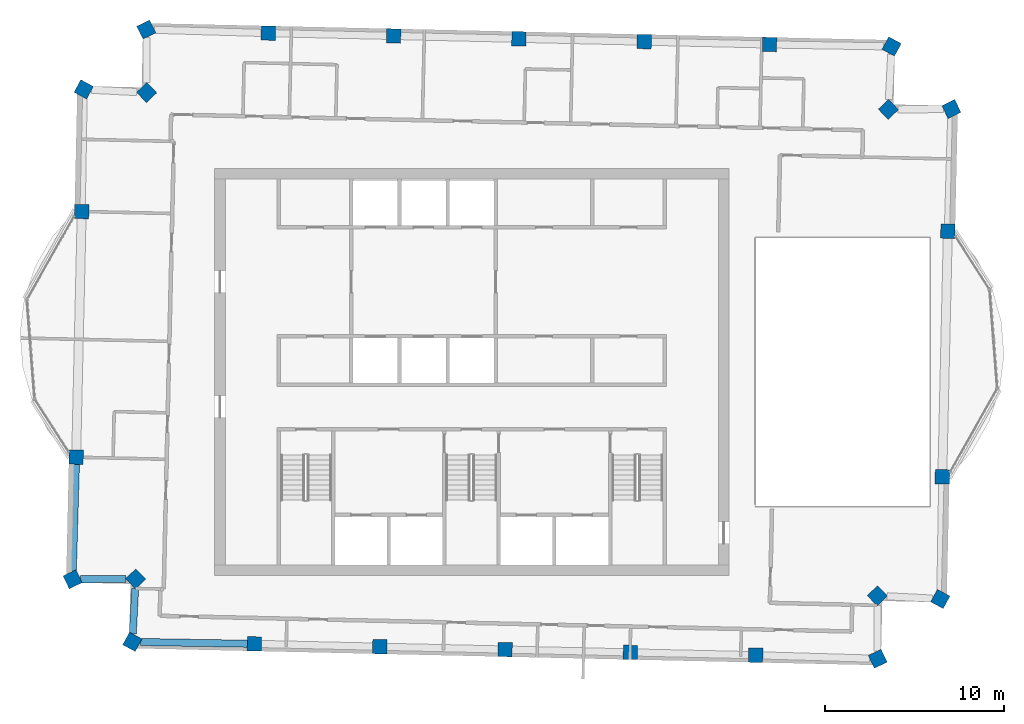
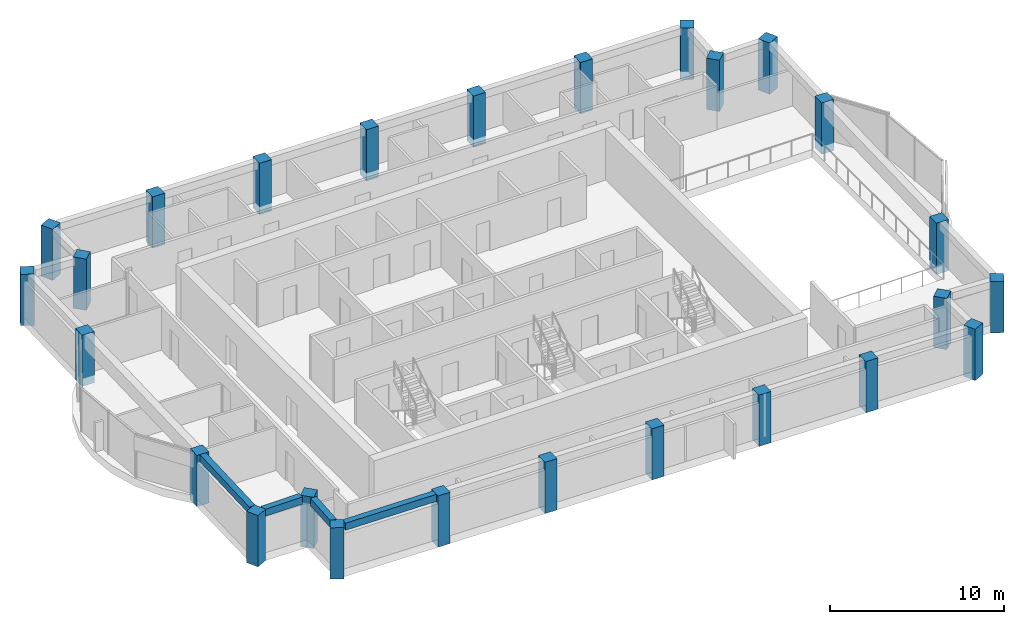
# One storey, part 1 of 12: 26 columns, 4 beams.
"""IFC4 building model written with IfcOpenShell, lengths in metres."""

from ifc_helpers import new_model, si_unit, direction, frame, origin, origin_2d, place, context, subcontext, project, spatial, rectangle, extrude, material, material_profile, profile_set, type_object, element, save


model = new_model("IFC4")

# Units and contexts
model_context = context("Model", 3, precision=1e-05, world=origin(), true_north=direction((0.0, 1.0)))
body_context = subcontext(model_context, "Body", "Model", "MODEL_VIEW")
ifc_project = project(units=[si_unit("LENGTHUNIT", "METRE"), si_unit("AREAUNIT", "SQUARE_METRE"), si_unit("VOLUMEUNIT", "CUBIC_METRE"), si_unit("PLANEANGLEUNIT", "RADIAN"), si_unit("MASSUNIT", "GRAM", prefix="KILO")], contexts=[model_context])

# Site, building, storey
site_placement = place(None, origin())
site = spatial("IfcSite", under=ifc_project, at=site_placement, CompositionType="ELEMENT")
building_placement = place(site_placement, origin())
building = spatial("IfcBuilding", under=site, at=building_placement, Name="Mangrove Gate Tower", CompositionType="ELEMENT")
storey_placement = place(building_placement, frame((0.0, 0.0, 350.699951171875)))
storey = spatial("IfcBuildingStorey", under=building, at=storey_placement, Name="L89", CompositionType="ELEMENT", Elevation=350.699951171875)

# Columns
ifc_material_1 = material(Name="Concrete C50/60", Category="concrete")
ifc_material_profile_1 = material_profile(ifc_material_1, rectangle(XDim=0.800048828125, YDim=0.800048828125, at=origin_2d()))
ifc_profile_set_1 = profile_set([ifc_material_profile_1], Name="Concrete C50/60")
column_type = type_object("IfcColumnType", Name="Column RC 800x800 C50/60", PredefinedType="COLUMN", material=ifc_profile_set_1)
for number, where, z_axis, x_axis, name in (
    (1, (-22.151123046875, -4.760986328125, -0.550048828125), (0.0, 0.0, 1.0), (-0.022671106186, -0.999742977442, 0.0), "Column L89 W04"),
    (2, (-22.35009765625, -11.6005859375, -0.550048828125), (0.0, 0.0, 1.0), (0.435825839896, -0.900031020176, 0.0), "Column L89 W05"),
    (3, (-18.82177734375, -11.57958984375, -0.550048828125), (0.0, 0.0, 1.0), (0.69091481381, -0.722936179796, 0.0), "Column L89 W06"),
    (4, (-19.00244140625, -15.103271484375, -0.550048828125), (0.0, 0.0, 1.0), (0.879152529936, -0.47654048003, 0.0), "Column L89 S01"),
    (5, (-12.1689453125, -15.214111328125, -0.550048828125), (0.0, 0.0, 1.0), (0.999741614879, -0.022731112591, 0.0), "Column L89 S02"),
    (6, (-5.15380859375, -15.3740234375, -0.550048828125), (0.0, 0.0, 1.0), (0.999741614879, -0.022731112591, 0.0), "Column L89 S03"),
    (7, (1.861083984375, -15.533203125, -0.550048828125), (0.0, 0.0, 1.0), (0.999743231409, -0.02265990405, 0.0), "Column L89 S04"),
    (8, (8.8759765625, -15.692138671875, -0.550048828125), (0.0, 0.0, 1.0), (0.999743231409, -0.02265990405, 0.0), "Column L89 S05"),
    (9, (15.89111328125, -15.85107421875, -0.550048828125), (0.0, 0.0, 1.0), (0.999743231409, -0.02265990405, 0.0), "Column L89 E01"),
    (10, (22.722412109375, -16.050048828125, -0.550048828125), (0.0, 0.0, 1.0), (0.899838241928, 0.436223725127, 0.0), "Column L89 E02"),
    (11, (22.70166015625, -12.521728515625, -0.550048828125), (0.0, 0.0, 1.0), (0.722936179796, 0.69091481381, 0.0), "Column L89 E03"),
    (12, (26.225341796875, -12.702392578125, -0.550048828125), (0.0, 0.0, 1.0), (0.476213771116, 0.879329542435, 0.0), "Column L89 E04"),
    (13, (26.337158203125, -5.86083984375, -0.550048828125), (0.0, 0.0, 1.0), (0.022719212519, 0.99974188538, 0.0), "Column L89 E05"),
    (14, (26.649169921875, 7.885986328125, -0.550048828125), (0.0, 0.0, 1.0), (0.022671106186, 0.999742977442, 0.0), "Column L89 E06"),
    (15, (26.847900390625, 14.7255859375, -0.550048828125), (0.0, 0.0, 1.0), (-0.435776137523, 0.900055086073, 0.0), "Column L89 E07"),
    (16, (23.31982421875, 14.70556640625, -0.550048828125), (0.0, 0.0, 1.0), (-0.69081670548, 0.72302992983, 0.0), "Column L89 E08"),
    (17, (23.50048828125, 18.229248046875, -0.550048828125), (0.0, 0.0, 1.0), (-0.879152529936, 0.47654048003, 0.0), "Column L89 E09"),
    (18, (16.6669921875, 18.340087890625, -0.550048828125), (0.0, 0.0, 1.0), (-0.999743231409, 0.02265990405, 0.0), "Column L89 E10"),
    (19, (9.65185546875, 18.4990234375, -0.550048828125), (0.0, 0.0, 1.0), (-0.999743231409, 0.02265990405, 0.0), "Column L89 N01"),
    (20, (2.636962890625, 18.658203125, -0.550048828125), (0.0, 0.0, 1.0), (-0.999743231409, 0.02265990405, 0.0), "Column L89 N02"),
    (21, (-4.378173828125, 18.817138671875, -0.550048828125), (0.0, 0.0, 1.0), (-0.999741614879, 0.022731112591, 0.0), "Column L89 N03"),
    (22, (-11.39306640625, 18.97705078125, -0.550048828125), (0.0, 0.0, 1.0), (-0.999741614879, 0.022731112591, 0.0), "Column L89 N04"),
    (23, (-18.224609375, 19.176025390625, -0.550048828125), (0.0, 0.0, 1.0), (-0.899838241928, -0.436223725127, 0.0), "Column L89 N05"),
    (24, (-18.20361328125, 15.64794921875, -0.550048828125), (0.0, 0.0, 1.0), (-0.722838062612, -0.691017463773, 0.0), "Column L89 W01"),
    (25, (-21.727294921875, 15.82763671875, -0.550048828125), (0.0, 0.0, 1.0), (-0.476160714994, -0.879358273684, 0.0), "Column L89 W02"),
    (26, (-21.839111328125, 8.98583984375, -0.550048828125), (0.0, 0.0, 1.0), (-0.022719212519, -0.99974188538, 0.0), "Column L89 W03"),
):
    element("IfcColumn", number, at=place(storey_placement, frame(where, z_axis=z_axis, x_axis=x_axis)), inside=storey, type_object=column_type, Name=name, PredefinedType="COLUMN", context=body_context, shape_type="SweptSolid", body=[
        extrude(rectangle(XDim=0.800048828125, YDim=0.800048828125, at=origin_2d()), origin(), (0.0, 0.0, 1.0), 3.60009765625),
    ])

# Beams
ifc_material_2 = material(Name="Concrete C50/60", Category="concrete")
ifc_material_profile_2 = material_profile(ifc_material_2, rectangle(XDim=0.39990234375, YDim=0.5, at=origin_2d()))
ifc_profile_set_2 = profile_set([ifc_material_profile_2], Name="Concrete C50/60")
beam_type = type_object("IfcBeamType", Name="Edge beam RC 400x500 C50/60", PredefinedType="BEAM", material=ifc_profile_set_2)
beam_1_placement = place(storey_placement, frame((-22.162841796875, -5.160888671875, 2.800048828125), z_axis=(-0.029052995116, -0.999577872642, 0.0), x_axis=(0.999577872642, -0.029052995116, 0.0)))
element("IfcBeam", 27, at=beam_1_placement, inside=storey, type_object=beam_type, Name="Edge beam L89 00", PredefinedType="BEAM", context=body_context, shape_type="SweptSolid", body=[
    extrude(rectangle(XDim=0.39990234375, YDim=0.5, at=origin_2d()), origin(), (0.0, 0.0, 1.0), 5.991455078125),
])
beam_2_placement = place(storey_placement, frame((-21.90673828125, -11.59814453125, 2.800048828125), z_axis=(0.999982168835, 0.005971767913, 0.0), x_axis=(-0.005971767913, 0.999982168835, 0.0)))
element("IfcBeam", 28, at=beam_2_placement, inside=storey, type_object=beam_type, Name="Edge beam L89 01", PredefinedType="BEAM", context=body_context, shape_type="SweptSolid", body=[
    extrude(rectangle(XDim=0.39990234375, YDim=0.5, at=origin_2d()), origin(), (0.0, 0.0, 1.0), 2.53466796875),
])
beam_3_placement = place(storey_placement, frame((-18.85009765625, -12.129150390625, 2.800048828125), z_axis=(-0.051143320771, -0.998691324054, 0.0), x_axis=(0.998691324054, -0.051143320771, 0.0)))
element("IfcBeam", 29, at=beam_3_placement, inside=storey, type_object=beam_type, Name="Edge beam L89 02", PredefinedType="BEAM", context=body_context, shape_type="SweptSolid", body=[
    extrude(rectangle(XDim=0.39990234375, YDim=0.5, at=origin_2d()), origin(), (0.0, 0.0, 1.0), 2.534912109375),
])
beam_4_placement = place(storey_placement, frame((-18.55126953125, -15.110595703125, 2.800048828125), z_axis=(0.999868782559, -0.016199310589, 0.0), x_axis=(0.016199310589, 0.999868782559, 0.0)))
element("IfcBeam", 30, at=beam_4_placement, inside=storey, type_object=beam_type, Name="Edge beam L89 03", PredefinedType="BEAM", context=body_context, shape_type="SweptSolid", body=[
    extrude(rectangle(XDim=0.39990234375, YDim=0.5, at=origin_2d()), origin(), (0.0, 0.0, 1.0), 5.983154296875),
])

save(model, "model.ifc")
